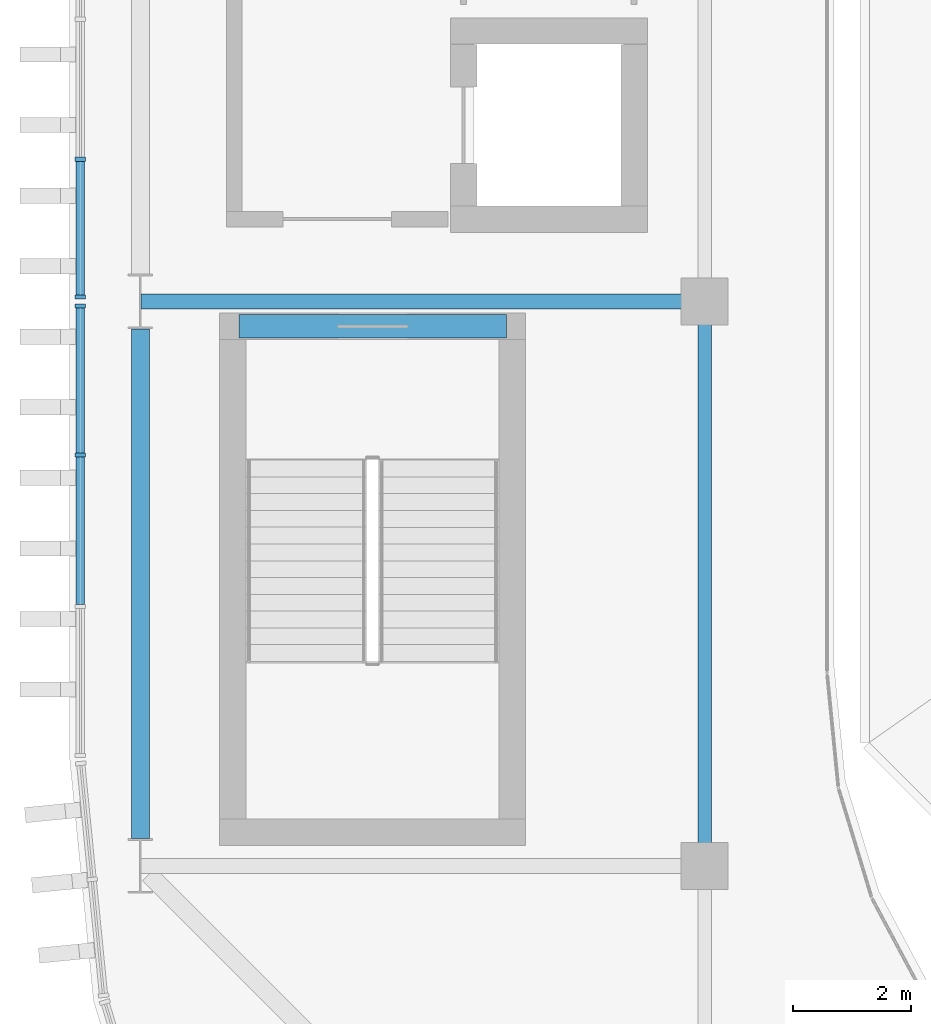
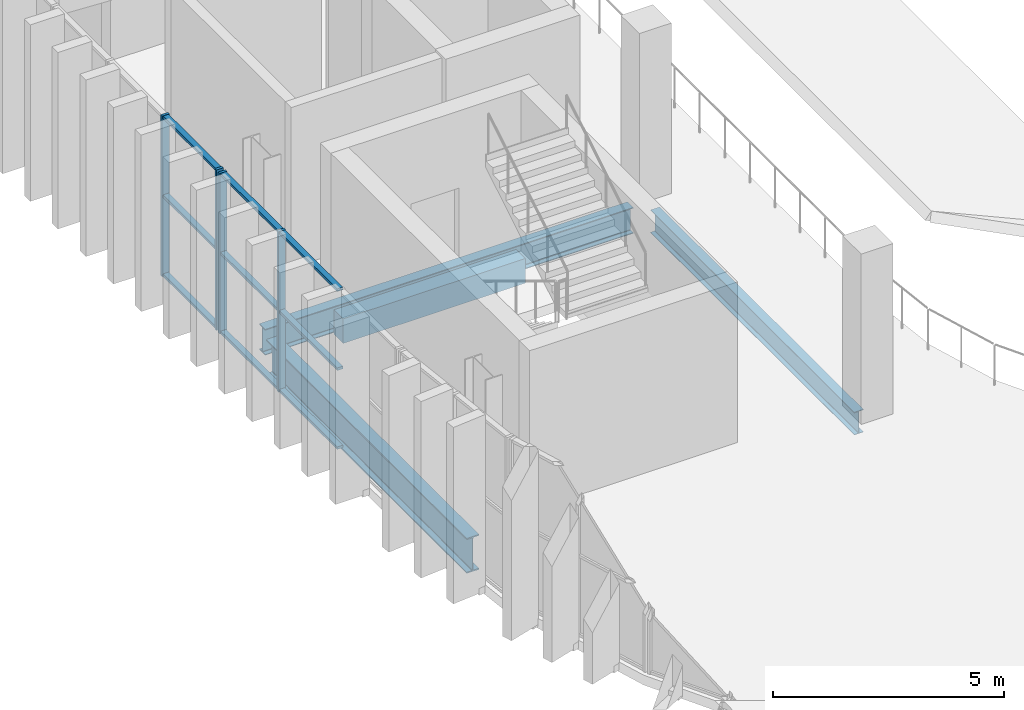
# One storey, part 14 of 69: 13 members, 4 beams, 2 elements without a shape of their own.
"""IFC4 building model written with IfcOpenShell, lengths in metres."""

from ifc_helpers import new_model, si_unit, direction, frame, origin, origin_2d, place, context, subcontext, project, spatial, rectangle, i_section, extrude, material, layer, layer_set, material_profile, profile_set, type_object, element, aggregate, save


model = new_model("IFC4")

# Units and contexts
model_context = context("Model", 3, precision=1e-05, world=origin(), true_north=direction((0.0, 1.0)))
body_context = subcontext(model_context, "Body", "Model", "MODEL_VIEW")
ifc_project = project(units=[si_unit("LENGTHUNIT", "METRE"), si_unit("AREAUNIT", "SQUARE_METRE"), si_unit("VOLUMEUNIT", "CUBIC_METRE"), si_unit("PLANEANGLEUNIT", "RADIAN"), si_unit("MASSUNIT", "GRAM", prefix="KILO")], contexts=[model_context])

# Site, building, storey
site_placement = place(None, origin())
site = spatial("IfcSite", under=ifc_project, at=site_placement, CompositionType="ELEMENT")
building_placement = place(site_placement, origin())
building = spatial("IfcBuilding", under=site, at=building_placement, Name="Caelomonte Colonnade Arena", CompositionType="ELEMENT")
storey_placement = place(building_placement, frame((0.0, 0.0, 18.60009765625)))
storey = spatial("IfcBuildingStorey", under=building, at=storey_placement, Name="L04", CompositionType="ELEMENT", Elevation=18.60009765625)

# Curtain wall, members
ifc_material_1 = material(Name="Bronze anodised aluminium and low-E glazing", Category="aluminium")
ifc_layer_1 = layer(ifc_material_1, 0.179931640625)
ifc_layer_set_1 = layer_set([ifc_layer_1], Name="Bronze anodised aluminium and low-E glazing")
curtain_wall_type_1 = type_object("IfcCurtainWallType", Name="ENV-CW-CW-L04-96-42", PredefinedType="USERDEFINED", material=ifc_layer_set_1)
curtain_wall_1_placement = place(storey_placement, origin())
curtain_wall_1 = element("IfcCurtainWall", 1, at=curtain_wall_1_placement, inside=storey, type_object=curtain_wall_type_1, Name="L04 unitized curtain wall CW-L04-0566-0528", ObjectType="UNITIZED CURTAIN WALL", PredefinedType="USERDEFINED")
ifc_material_2 = material(Name="Bronze anodised aluminium AA6063-T6", Category="aluminium")
ifc_material_profile_1 = material_profile(ifc_material_2, rectangle(XDim=0.070068359375, YDim=0.179931640625, at=origin_2d()), Name="CWM-70X180")
ifc_profile_set_1 = profile_set([ifc_material_profile_1], Name="Bronze anodised aluminium AA6063-T6")
member_type_1 = type_object("IfcMemberType", Name="ENV-CW-MULL1", PredefinedType="MULLION", material=ifc_profile_set_1)
member_1_placement = place(storey_placement, frame((56.580078125, 50.419921875, 0.0), z_axis=(0.0, 0.0, 1.0), x_axis=(0.0, -1.0, 0.0)))
member_1 = element("IfcMember", 2, at=member_1_placement, type_object=member_type_1, Name="CW-L04-96-42 mullion 4", PredefinedType="MULLION", context=body_context, shape_type="SweptSolid", body=[
    extrude(rectangle(XDim=0.070068359375, YDim=0.179931640625, at=origin_2d()), origin(), (0.0, 0.0, 1.0), 4.239990234375),
])
member_2_placement = place(storey_placement, frame((56.580078125, 48.074951171875, 0.0), z_axis=(0.0, 0.0, 1.0), x_axis=(0.0, -1.0, 0.0)))
member_2 = element("IfcMember", 3, at=member_2_placement, type_object=member_type_1, Name="CW-L04-96-42 mullion 5", PredefinedType="MULLION", context=body_context, shape_type="SweptSolid", body=[
    extrude(rectangle(XDim=0.070068359375, YDim=0.179931640625, at=origin_2d()), origin(), (0.0, 0.0, 1.0), 4.239990234375),
])

ifc_layer_2 = layer(ifc_material_1, 0.179931640625)
ifc_layer_set_2 = layer_set([ifc_layer_2], Name="Bronze anodised aluminium and low-E glazing")
curtain_wall_type_2 = type_object("IfcCurtainWallType", Name="ENV-CW-CW-L04-79-42", PredefinedType="USERDEFINED", material=ifc_layer_set_2)
curtain_wall_2_placement = place(storey_placement, origin())
curtain_wall_2 = element("IfcCurtainWall", 4, at=curtain_wall_2_placement, inside=storey, type_object=curtain_wall_type_2, Name="L04 unitized curtain wall CW-L04-0566-0440", ObjectType="UNITIZED CURTAIN WALL", PredefinedType="USERDEFINED")
member_3_placement = place(storey_placement, frame((56.580078125, 47.925048828125, 0.0), z_axis=(0.0, 0.0, 1.0), x_axis=(0.0, -1.0, 0.0)))
member_3 = element("IfcMember", 5, at=member_3_placement, type_object=member_type_1, Name="CW-L04-79-42 mullion 1", PredefinedType="MULLION", context=body_context, shape_type="SweptSolid", body=[
    extrude(rectangle(XDim=0.070068359375, YDim=0.179931640625, at=origin_2d()), origin(), (0.0, 0.0, 1.0), 4.239990234375),
])
member_4_placement = place(storey_placement, frame((56.580078125, 45.38671875, 0.0), z_axis=(0.0, 0.0, 1.0), x_axis=(0.0, -1.0, 0.0)))
member_4 = element("IfcMember", 6, at=member_4_placement, type_object=member_type_1, Name="CW-L04-79-42 mullion 2", PredefinedType="MULLION", context=body_context, shape_type="SweptSolid", body=[
    extrude(rectangle(XDim=0.070068359375, YDim=0.179931640625, at=origin_2d()), origin(), (0.0, 0.0, 1.0), 4.239990234375),
])

# Member
ifc_material_profile_2 = material_profile(ifc_material_2, rectangle(XDim=0.070068359375, YDim=0.139892578125, at=origin_2d()), Name="CWT-70X140")
ifc_profile_set_2 = profile_set([ifc_material_profile_2], Name="Bronze anodised aluminium AA6063-T6")
member_type_2 = type_object("IfcMemberType", Name="ENV-CW-TRAN1", PredefinedType="USERDEFINED", material=ifc_profile_set_2)
member_5_placement = place(storey_placement, frame((56.580078125, 50.385009765625, 0.034912109375), z_axis=(0.0, -1.0, 0.0), x_axis=(0.0, 0.0, 1.0)))
member_5 = element("IfcMember", 7, at=member_5_placement, type_object=member_type_2, Name="CW-L04-96-42 transom 4.1", ObjectType="TRANSOM", PredefinedType="USERDEFINED", context=body_context, shape_type="SweptSolid", body=[
    extrude(rectangle(XDim=0.070068359375, YDim=0.139892578125, at=origin_2d()), origin(), (0.0, 0.0, 1.0), 2.27490234375),
])

member_6_placement = place(storey_placement, frame((56.580078125, 50.385009765625, 2.119873046875), z_axis=(0.0, -1.0, 0.0), x_axis=(0.0, 0.0, 1.0)))
member_6 = element("IfcMember", 8, at=member_6_placement, type_object=member_type_2, Name="CW-L04-96-42 transom 4.2", ObjectType="TRANSOM", PredefinedType="USERDEFINED", context=body_context, shape_type="SweptSolid", body=[
    extrude(rectangle(XDim=0.070068359375, YDim=0.139892578125, at=origin_2d()), origin(), (0.0, 0.0, 1.0), 2.27490234375),
])

member_7_placement = place(storey_placement, frame((56.580078125, 50.385009765625, 4.204833984375), z_axis=(0.0, -1.0, 0.0), x_axis=(0.0, 0.0, 1.0)))
member_7 = element("IfcMember", 9, at=member_7_placement, type_object=member_type_2, Name="CW-L04-96-42 transom 4.3", ObjectType="TRANSOM", PredefinedType="USERDEFINED", context=body_context, shape_type="SweptSolid", body=[
    extrude(rectangle(XDim=0.070068359375, YDim=0.139892578125, at=origin_2d()), origin(), (0.0, 0.0, 1.0), 2.27490234375),
])

aggregate(curtain_wall_1, [member_1, member_2, member_5, member_6, member_7])

member_8_placement = place(storey_placement, frame((56.580078125, 47.889892578125, 0.034912109375), z_axis=(0.0, -1.0, 0.0), x_axis=(0.0, 0.0, 1.0)))
member_8 = element("IfcMember", 10, at=member_8_placement, type_object=member_type_2, Name="CW-L04-79-42 transom 1.1", ObjectType="TRANSOM", PredefinedType="USERDEFINED", context=body_context, shape_type="SweptSolid", body=[
    extrude(rectangle(XDim=0.070068359375, YDim=0.139892578125, at=origin_2d()), origin(), (0.0, 0.0, 1.0), 2.46826171875),
])

member_9_placement = place(storey_placement, frame((56.580078125, 47.889892578125, 2.119873046875), z_axis=(0.0, -1.0, 0.0), x_axis=(0.0, 0.0, 1.0)))
member_9 = element("IfcMember", 11, at=member_9_placement, type_object=member_type_2, Name="CW-L04-79-42 transom 1.2", ObjectType="TRANSOM", PredefinedType="USERDEFINED", context=body_context, shape_type="SweptSolid", body=[
    extrude(rectangle(XDim=0.070068359375, YDim=0.139892578125, at=origin_2d()), origin(), (0.0, 0.0, 1.0), 2.46826171875),
])

member_10_placement = place(storey_placement, frame((56.580078125, 47.889892578125, 4.204833984375), z_axis=(0.0, -1.0, 0.0), x_axis=(0.0, 0.0, 1.0)))
member_10 = element("IfcMember", 12, at=member_10_placement, type_object=member_type_2, Name="CW-L04-79-42 transom 1.3", ObjectType="TRANSOM", PredefinedType="USERDEFINED", context=body_context, shape_type="SweptSolid", body=[
    extrude(rectangle(XDim=0.070068359375, YDim=0.139892578125, at=origin_2d()), origin(), (0.0, 0.0, 1.0), 2.46826171875),
])

member_11_placement = place(storey_placement, frame((56.580078125, 45.3515625, 0.034912109375), z_axis=(0.0, -1.0, 0.0), x_axis=(0.0, 0.0, 1.0)))
member_11 = element("IfcMember", 13, at=member_11_placement, type_object=member_type_2, Name="CW-L04-79-42 transom 2.1", ObjectType="TRANSOM", PredefinedType="USERDEFINED", context=body_context, shape_type="SweptSolid", body=[
    extrude(rectangle(XDim=0.070068359375, YDim=0.139892578125, at=origin_2d()), origin(), (0.0, 0.0, 1.0), 2.503173828125),
])

member_12_placement = place(storey_placement, frame((56.580078125, 45.3515625, 2.119873046875), z_axis=(0.0, -1.0, 0.0), x_axis=(0.0, 0.0, 1.0)))
member_12 = element("IfcMember", 14, at=member_12_placement, type_object=member_type_2, Name="CW-L04-79-42 transom 2.2", ObjectType="TRANSOM", PredefinedType="USERDEFINED", context=body_context, shape_type="SweptSolid", body=[
    extrude(rectangle(XDim=0.070068359375, YDim=0.139892578125, at=origin_2d()), origin(), (0.0, 0.0, 1.0), 2.503173828125),
])

member_13_placement = place(storey_placement, frame((56.580078125, 45.3515625, 4.204833984375), z_axis=(0.0, -1.0, 0.0), x_axis=(0.0, 0.0, 1.0)))
member_13 = element("IfcMember", 15, at=member_13_placement, type_object=member_type_2, Name="CW-L04-79-42 transom 2.3", ObjectType="TRANSOM", PredefinedType="USERDEFINED", context=body_context, shape_type="SweptSolid", body=[
    extrude(rectangle(XDim=0.070068359375, YDim=0.139892578125, at=origin_2d()), origin(), (0.0, 0.0, 1.0), 2.503173828125),
])

aggregate(curtain_wall_2, [member_3, member_4, member_8, member_9, member_10, member_11, member_12, member_13])

# Beams
ifc_material_3 = material(Name="Wide-flange steel ASTM A992 Grade 50", Category="steel")
ifc_material_profile_3 = material_profile(ifc_material_3, i_section(OverallWidth=0.307861328125, OverallDepth=0.927001953125, WebThickness=0.019287109375, FlangeThickness=0.031982421875, FilletRadius=0.020263671875, at=origin_2d()), Name="W36X194")
ifc_profile_set_3 = profile_set([ifc_material_profile_3], Name="Wide-flange steel ASTM A992 Grade 50")
beam_type_1 = type_object("IfcBeamType", Name="STR-BM-EAVES2", PredefinedType="SPANDREL", material=ifc_profile_set_3)
beam_1_placement = place(storey_placement, frame((57.60009765625, 38.86572265625, -0.7236328125), z_axis=(0.0, 1.0, 0.0), x_axis=(-1.0, 0.0, 0.0)))
element("IfcBeam", 16, at=beam_1_placement, inside=storey, type_object=beam_type_1, Name="L04 girder BMY-L04-0576-0384", PredefinedType="SPANDREL", context=body_context, shape_type="SweptSolid", body=[
    extrude(i_section(OverallWidth=0.307861328125, OverallDepth=0.927001953125, WebThickness=0.019287109375, FlangeThickness=0.031982421875, FilletRadius=0.020263671875, at=origin_2d()), origin(), (0.0, 0.0, 1.0), 8.66845703125),
])
ifc_material_profile_4 = material_profile(ifc_material_3, i_section(OverallWidth=0.227783203125, OverallDepth=0.60205078125, WebThickness=0.010498046875, FlangeThickness=0.014892578125, FilletRadius=0.0126953125, at=origin_2d()), Name="W24X68")
ifc_profile_set_4 = profile_set([ifc_material_profile_4], Name="Wide-flange steel ASTM A992 Grade 50")
beam_type_2 = type_object("IfcBeamType", Name="STR-BM-GIRD24B", PredefinedType="SPANDREL", material=ifc_profile_set_4)
beam_2_placement = place(storey_placement, frame((67.199951171875, 38.7919921875, -0.56103515625), z_axis=(0.0, 1.0, 0.0), x_axis=(-1.0, 0.0, 0.0)))
element("IfcBeam", 17, at=beam_2_placement, inside=storey, type_object=beam_type_2, Name="L04 girder BMY-L04-0672-0384", PredefinedType="SPANDREL", context=body_context, shape_type="SweptSolid", body=[
    extrude(i_section(OverallWidth=0.227783203125, OverallDepth=0.60205078125, WebThickness=0.010498046875, FlangeThickness=0.014892578125, FilletRadius=0.0126953125, at=origin_2d()), origin(), (0.0, 0.0, 1.0), 8.81591796875),
])
ifc_material_profile_5 = material_profile(ifc_material_3, i_section(OverallWidth=0.253662109375, OverallDepth=0.683349609375, WebThickness=0.012451171875, FlangeThickness=0.018798828125, FilletRadius=0.01513671875, at=origin_2d()), Name="W27X94")
ifc_profile_set_5 = profile_set([ifc_material_profile_5], Name="Wide-flange steel ASTM A992 Grade 50")
beam_type_3 = type_object("IfcBeamType", Name="STR-BM-GIRD27", PredefinedType="BEAM", material=ifc_profile_set_5)
beam_3_placement = place(storey_placement, frame((57.612060546875, 48.0, -0.601806640625), z_axis=(1.0, 0.0, 0.0), x_axis=(0.0, 1.0, 0.0)))
element("IfcBeam", 18, at=beam_3_placement, inside=storey, type_object=beam_type_3, Name="L04 girder BMX-L04-0576-0480", PredefinedType="BEAM", context=body_context, shape_type="SweptSolid", body=[
    extrude(i_section(OverallWidth=0.253662109375, OverallDepth=0.683349609375, WebThickness=0.012451171875, FlangeThickness=0.018798828125, FilletRadius=0.01513671875, at=origin_2d()), origin(), (0.0, 0.0, 1.0), 9.196044921875),
])
ifc_material_4 = material(Name="Concrete C40/50", Category="concrete")
ifc_material_profile_6 = material_profile(ifc_material_4, rectangle(XDim=0.39990234375, YDim=0.64990234375, at=origin_2d()), Name="RC400X650")
ifc_profile_set_6 = profile_set([ifc_material_profile_6], Name="Concrete C40/50")
beam_type_4 = type_object("IfcBeamType", Name="STR-BM-LINT40", PredefinedType="LINTEL", material=ifc_profile_set_6)
beam_4_placement = place(storey_placement, frame((59.27490234375, 47.574951171875, -0.585205078125), z_axis=(1.0, 0.0, 0.0), x_axis=(0.0, 1.0, 0.0)))
element("IfcBeam", 19, at=beam_4_placement, inside=storey, type_object=beam_type_4, Name="Core C1 L04 coupling lintel beam", PredefinedType="LINTEL", context=body_context, shape_type="SweptSolid", body=[
    extrude(rectangle(XDim=0.39990234375, YDim=0.64990234375, at=origin_2d()), origin(), (0.0, 0.0, 1.0), 4.550048828125),
])

save(model, "model.ifc")
